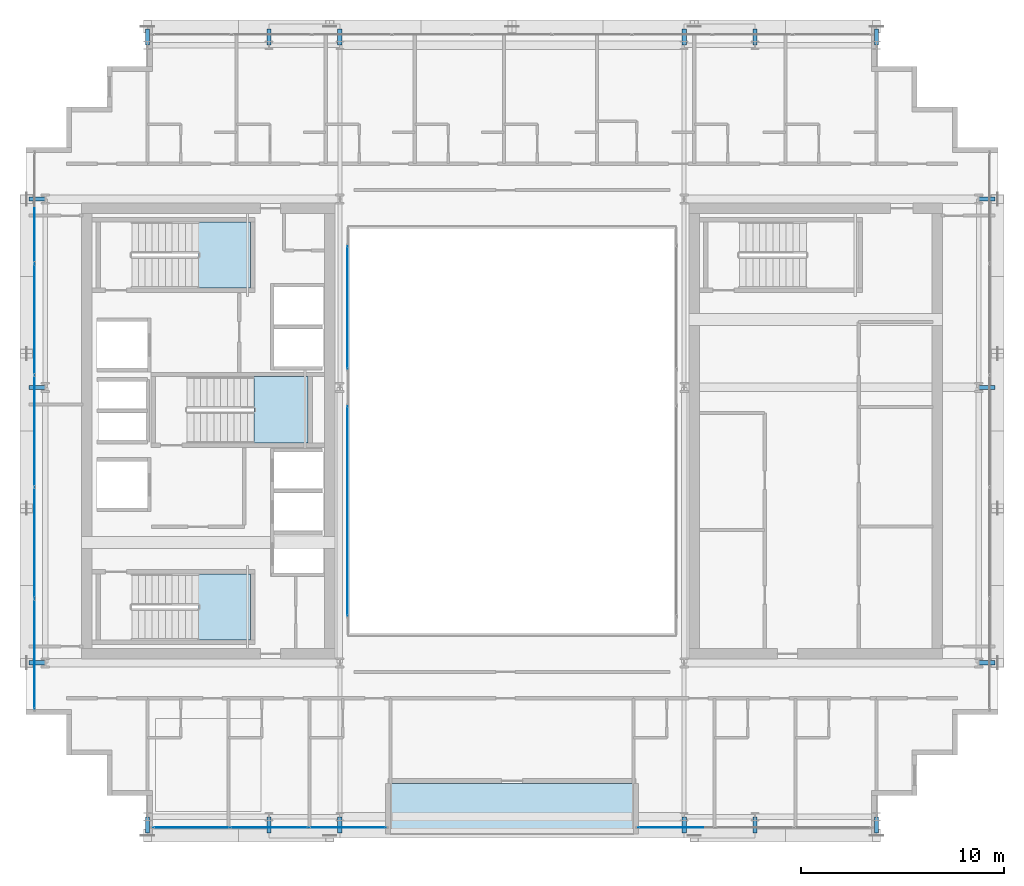
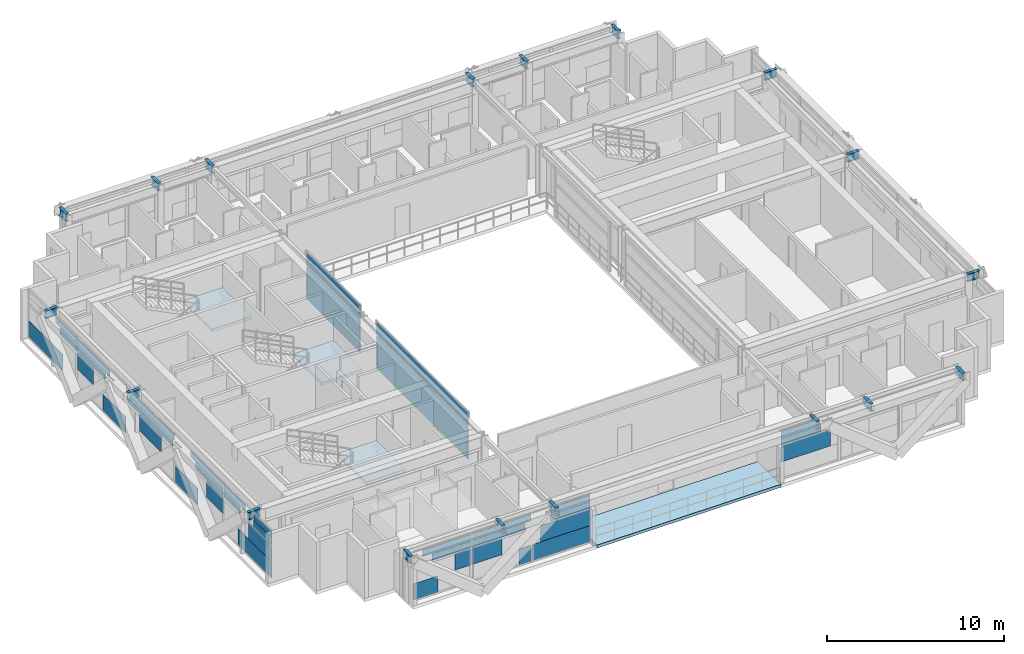
# One storey, part 24 of 38: 39 plates, 18 beams, 4 slabs, 8 elements without a shape of their own.
"""IFC4 building model written with IfcOpenShell, lengths in metres."""

from ifc_helpers import new_model, si_unit, direction, frame, origin, origin_2d, place, context, subcontext, project, spatial, polyline, rectangle, i_section, outline, extrude, source, transform, mapped, material, layer, layer_set, material_profile, profile_set, type_object, element, aggregate, save


model = new_model("IFC4")

# Units and contexts
model_context = context("Model", 3, precision=1e-05, world=origin(), true_north=direction((0.0, 1.0)))
body_context = subcontext(model_context, "Body", "Model", "MODEL_VIEW")
ifc_project = project(units=[si_unit("LENGTHUNIT", "METRE"), si_unit("AREAUNIT", "SQUARE_METRE"), si_unit("VOLUMEUNIT", "CUBIC_METRE"), si_unit("PLANEANGLEUNIT", "RADIAN"), si_unit("MASSUNIT", "GRAM", prefix="KILO")], contexts=[model_context])

# Site, building, storey
site_placement = place(None, origin())
site = spatial("IfcSite", under=ifc_project, at=site_placement, CompositionType="ELEMENT")
building_placement = place(site_placement, origin())
building = spatial("IfcBuilding", under=site, at=building_placement, Name="Ocotamira Hotel", CompositionType="ELEMENT")
storey_placement = place(building_placement, frame((0.0, 0.0, 170.39990234375)))
storey = spatial("IfcBuildingStorey", under=building, at=storey_placement, Name="L42", CompositionType="ELEMENT", Elevation=170.39990234375)

# Beams
ifc_material_1 = material(Name="Steel ASTM A992 Grade 50", Category="steel")
ifc_material_profile = material_profile(ifc_material_1, i_section(OverallWidth=0.2099609375, OverallDepth=0.537109375, WebThickness=0.010986328125, FlangeThickness=0.017333984375, FilletRadius=0.012939453125, at=origin_2d()), Name="W21X68")
ifc_profile_set = profile_set([ifc_material_profile], Name="Steel ASTM A992 Grade 50")
beam_type = type_object("IfcBeamType", Name="BM-SEC-W21X68", PredefinedType="JOIST", material=ifc_profile_set)
shared_shape_1 = source(origin(), body_context, "Body", "SweptSolid", [
    extrude(i_section(OverallWidth=0.2099609375, OverallDepth=0.537109375, WebThickness=0.010986328125, FlangeThickness=0.017333984375, FilletRadius=0.012939453125, at=origin_2d()), origin(), (0.0, 0.0, 1.0), 0.800048828125),
])
for number, where, z_axis, x_axis, name in (
    (1, (14.0, 6.949951171875, 3.1015625), (0.0, -1.0, 0.0), (1.0, 0.0, 0.0), "L42 South Edge Header X14"),
    (2, (14.0, 45.050048828125, 3.1015625), (0.0, 1.0, 0.0), (-1.0, 0.0, 0.0), "L42 North Edge Header X14"),
    (3, (20.0, 6.949951171875, 3.1015625), (0.0, -1.0, 0.0), (1.0, 0.0, 0.0), "L42 South Edge Header X20"),
    (4, (20.0, 45.050048828125, 3.1015625), (0.0, 1.0, 0.0), (-1.0, 0.0, 0.0), "L42 North Edge Header X20"),
    (5, (23.5, 6.949951171875, 3.1015625), (0.0, -1.0, 0.0), (1.0, 0.0, 0.0), "L42 South Edge Header X23.5"),
    (6, (23.5, 45.050048828125, 3.1015625), (0.0, 1.0, 0.0), (-1.0, 0.0, 0.0), "L42 North Edge Header X23.5"),
    (7, (40.5, 6.949951171875, 3.1015625), (0.0, -1.0, 0.0), (1.0, 0.0, 0.0), "L42 South Edge Header X40.5"),
    (8, (40.5, 45.050048828125, 3.1015625), (0.0, 1.0, 0.0), (-1.0, 0.0, 0.0), "L42 North Edge Header X40.5"),
    (9, (44.0, 6.949951171875, 3.1015625), (0.0, -1.0, 0.0), (1.0, 0.0, 0.0), "L42 South Edge Header X44"),
    (10, (44.0, 45.050048828125, 3.1015625), (0.0, 1.0, 0.0), (-1.0, 0.0, 0.0), "L42 North Edge Header X44"),
    (11, (50.0, 6.949951171875, 3.1015625), (0.0, -1.0, 0.0), (1.0, 0.0, 0.0), "L42 South Edge Header X50"),
    (12, (50.0, 45.050048828125, 3.1015625), (0.0, 1.0, 0.0), (-1.0, 0.0, 0.0), "L42 North Edge Header X50"),
    (13, (8.949951171875, 14.550048828125, 3.1015625), (-1.0, 0.0, 0.0), (0.0, -1.0, 0.0), "L42 West Edge Header Y14.55"),
    (14, (55.050048828125, 14.550048828125, 3.1015625), (1.0, 0.0, 0.0), (0.0, 1.0, 0.0), "L42 East Edge Header Y14.55"),
    (15, (8.949951171875, 28.14990234375, 3.1015625), (-1.0, 0.0, 0.0), (0.0, -1.0, 0.0), "L42 West Edge Header Y28.15"),
    (16, (55.050048828125, 28.14990234375, 3.1015625), (1.0, 0.0, 0.0), (0.0, 1.0, 0.0), "L42 East Edge Header Y28.15"),
    (17, (8.949951171875, 37.449951171875, 3.1015625), (-1.0, 0.0, 0.0), (0.0, -1.0, 0.0), "L42 West Edge Header Y37.45"),
    (18, (55.050048828125, 37.449951171875, 3.1015625), (1.0, 0.0, 0.0), (0.0, 1.0, 0.0), "L42 East Edge Header Y37.45"),
):
    element("IfcBeam", number, at=place(storey_placement, frame(where, z_axis=z_axis, x_axis=x_axis)), inside=storey, type_object=beam_type, Name=name, PredefinedType="JOIST", context=body_context, shape_type="MappedRepresentation", body=[
        mapped(shared_shape_1, transform((0.0, 0.0, 0.0), scale=1.0)),
    ])

# Slab
ifc_material_2 = material(Name="Concrete C40/50", Category="concrete")
ifc_layer_1 = layer(ifc_material_2, 0.199951171875)
ifc_layer_set_1 = layer_set([ifc_layer_1], Name="Concrete C40/50")
slab_type_1 = type_object("IfcSlabType", Name="SLB-BAL-200", PredefinedType="FLOOR", material=ifc_layer_set_1)
slab_1_placement = place(storey_placement, frame((0.0, 0.0, -0.199951171875)))
element("IfcSlab", 19, at=slab_1_placement, inside=storey, type_object=slab_type_1, Name="L42 Outdoor Sky Terrace Slab 1", PredefinedType="FLOOR", context=body_context, shape_type="SweptSolid", body=[
    extrude(outline(polyline([(26.0, 6.0), (38.0, 6.0), (38.0, 8.60009765625), (26.0, 8.60009765625), (26.0, 6.0)])), origin(), (0.0, 0.0, 1.0), 0.199951171875),
])

# Stair, slab
stair_type = type_object("IfcStairType", Name="ST-CORE-1560", PredefinedType="HALF_TURN_STAIR", material=ifc_material_2)
stair_1_placement = place(storey_placement, origin())
stair_1 = element("IfcStair", 20, at=stair_1_placement, inside=storey, type_object=stair_type, Name="L42 Exit Stair ST-1", PredefinedType="HALF_TURN_STAIR")
ifc_layer_2 = layer(ifc_material_2, 0.199951171875)
ifc_layer_set_2 = layer_set([ifc_layer_2], Name="Concrete C40/50")
slab_type_2 = type_object("IfcSlabType", Name="SLB-LAND-200", PredefinedType="LANDING", material=ifc_layer_set_2)
slab_2_placement = place(storey_placement, frame((0.0, 0.0, 1.60009765625)))
slab_2 = element("IfcSlab", 21, at=slab_2_placement, type_object=slab_type_2, Name="ST-1 landing 1", PredefinedType="LANDING", context=body_context, shape_type="SweptSolid", body=[
    extrude(outline(polyline([(16.530029296875, 15.669921875), (19.090087890625, 15.669921875), (19.090087890625, 18.949951171875), (16.530029296875, 18.949951171875), (16.530029296875, 15.669921875)])), origin(), (0.0, 0.0, 1.0), 0.199951171875),
])
aggregate(stair_1, [slab_2])

stair_2_placement = place(storey_placement, origin())
stair_2 = element("IfcStair", 22, at=stair_2_placement, inside=storey, type_object=stair_type, Name="L42 Exit Stair ST-2", PredefinedType="HALF_TURN_STAIR")
slab_3_placement = place(storey_placement, frame((0.0, 0.0, 1.60009765625)))
slab_3 = element("IfcSlab", 23, at=slab_3_placement, type_object=slab_type_2, Name="ST-2 landing 1", PredefinedType="LANDING", context=body_context, shape_type="SweptSolid", body=[
    extrude(outline(polyline([(16.530029296875, 33.050048828125), (19.090087890625, 33.050048828125), (19.090087890625, 36.330078125), (16.530029296875, 36.330078125), (16.530029296875, 33.050048828125)])), origin(), (0.0, 0.0, 1.0), 0.199951171875),
])
aggregate(stair_2, [slab_3])

stair_3_placement = place(storey_placement, origin())
stair_3 = element("IfcStair", 24, at=stair_3_placement, inside=storey, type_object=stair_type, Name="L42 Exit Stair ST-3", PredefinedType="HALF_TURN_STAIR")
slab_4_placement = place(storey_placement, frame((0.0, 0.0, 1.60009765625)))
slab_4 = element("IfcSlab", 25, at=slab_4_placement, type_object=slab_type_2, Name="ST-3 landing 1", PredefinedType="LANDING", context=body_context, shape_type="SweptSolid", body=[
    extrude(outline(polyline([(19.260009765625, 25.39990234375), (21.919921875, 25.39990234375), (21.919921875, 28.679931640625), (19.260009765625, 28.679931640625), (19.260009765625, 25.39990234375)])), origin(), (0.0, 0.0, 1.0), 0.199951171875),
])
aggregate(stair_3, [slab_4])

# Curtain wall, plate
ifc_material_3 = material(Name="Anodised pale-metal aluminium and solar glass", Category="aluminium")
ifc_layer_3 = layer(ifc_material_3, 0.199951171875)
ifc_layer_set_3 = layer_set([ifc_layer_3], Name="Anodised pale-metal aluminium and solar glass")
curtain_wall_type_1 = type_object("IfcCurtainWallType", Name="CW-SYS4-Z3", PredefinedType="NOTDEFINED", material=ifc_layer_set_3)
curtain_wall_1_placement = place(storey_placement, origin())
curtain_wall_1 = element("IfcCurtainWall", 26, at=curtain_wall_1_placement, inside=storey, type_object=curtain_wall_type_1, Name="L42 Curtain Wall CW-4 CW-L42-S1", PredefinedType="NOTDEFINED")
ifc_material_4 = material(Name="Double-silver low-E insulated solar glass", Category="glass")
ifc_layer_4 = layer(ifc_material_4, 0.031982421875)
ifc_layer_set_4 = layer_set([ifc_layer_4], Name="Double-silver low-E insulated solar glass")
plate_type = type_object("IfcPlateType", Name="CWP-VISION-32", PredefinedType="CURTAIN_PANEL", material=ifc_layer_set_4)
shared_shape_2 = source(origin(), body_context, "Body", "SweptSolid", [
    extrude(rectangle(XDim=1.5673828125, YDim=0.031982421875, at=origin_2d()), origin(), (0.0, 0.0, 1.0), 1.118896484375),
])
plate_1_placement = place(storey_placement, frame((15.063720703125, 6.419921875, 0.0751953125), z_axis=(0.0, 0.0, 1.0), x_axis=(1.0, 0.0, 0.0)))
plate_1 = element("IfcPlate", 27, at=plate_1_placement, type_object=plate_type, Name="CW-4 panel 1.1.1", PredefinedType="CURTAIN_PANEL", context=body_context, shape_type="MappedRepresentation", body=[
    mapped(shared_shape_2, transform((0.0, 0.0, 0.0), scale=1.0)),
])

# Curtain wall, plates
curtain_wall_2_placement = place(storey_placement, origin())
curtain_wall_2 = element("IfcCurtainWall", 28, at=curtain_wall_2_placement, inside=storey, type_object=curtain_wall_type_1, Name="L42 Curtain Wall CW-4 CW-L42-W", PredefinedType="NOTDEFINED")
shared_shape_3 = source(origin(), body_context, "Body", "SweptSolid", [
    extrude(rectangle(XDim=3.802001953125, YDim=0.031982421875, at=origin_2d()), origin(), (0.0, 0.0, 1.0), 1.118896484375),
])
plate_2_placement = place(storey_placement, frame((8.419921875, 14.180908203125, 0.0751953125), z_axis=(0.0, 0.0, 1.0), x_axis=(0.0, 1.0, 0.0)))
plate_2 = element("IfcPlate", 29, at=plate_2_placement, type_object=plate_type, Name="CW-4 panel 1.1.1", PredefinedType="CURTAIN_PANEL", context=body_context, shape_type="MappedRepresentation", body=[
    mapped(shared_shape_3, transform((0.0, 0.0, 0.0), scale=1.0)),
])
plate_3_placement = place(storey_placement, frame((8.419921875, 37.819091796875, 0.0751953125), z_axis=(0.0, 0.0, 1.0), x_axis=(0.0, 1.0, 0.0)))
plate_3 = element("IfcPlate", 30, at=plate_3_placement, type_object=plate_type, Name="CW-4 panel 5.1.1", PredefinedType="CURTAIN_PANEL", context=body_context, shape_type="MappedRepresentation", body=[
    mapped(shared_shape_3, transform((0.0, 0.0, 0.0), scale=1.0)),
])
shared_shape_4 = source(origin(), body_context, "Body", "SweptSolid", [
    extrude(rectangle(XDim=2.048095703125, YDim=0.031982421875, at=origin_2d()), origin(), (0.0, 0.0, 1.0), 0.460693359375),
])
plate_4_placement = place(storey_placement, frame((8.419921875, 13.303955078125, 2.3876953125), z_axis=(0.0, 0.0, 1.0), x_axis=(0.0, 1.0, 0.0)))
plate_4 = element("IfcPlate", 31, at=plate_4_placement, type_object=plate_type, Name="CW-4 panel 1.2.1", PredefinedType="CURTAIN_PANEL", context=body_context, shape_type="MappedRepresentation", body=[
    mapped(shared_shape_4, transform((0.0, 0.0, 0.0), scale=1.0)),
])
shared_shape_5 = source(origin(), body_context, "Body", "SweptSolid", [
    extrude(rectangle(XDim=2.01171875, YDim=0.031982421875, at=origin_2d()), origin(), (0.0, 0.0, 1.0), 0.44677734375),
])
plate_5_placement = place(storey_placement, frame((8.419921875, 13.285888671875, 2.848388671875), z_axis=(0.0, 0.0, 1.0), x_axis=(0.0, 1.0, 0.0)))
plate_5 = element("IfcPlate", 32, at=plate_5_placement, type_object=plate_type, Name="CW-4 panel 1.2.2", PredefinedType="CURTAIN_PANEL", context=body_context, shape_type="MappedRepresentation", body=[
    mapped(shared_shape_5, transform((0.0, 0.0, 0.0), scale=1.0)),
])
shared_shape_6 = source(origin(), body_context, "Body", "SweptSolid", [
    extrude(rectangle(XDim=2.3681640625, YDim=0.031982421875, at=origin_2d()), origin(), (0.0, 0.0, 1.0), 0.41259765625),
])
plate_6_placement = place(storey_placement, frame((8.419921875, 16.495849609375, 2.882568359375), z_axis=(0.0, 0.0, 1.0), x_axis=(0.0, 1.0, 0.0)))
plate_6 = element("IfcPlate", 33, at=plate_6_placement, type_object=plate_type, Name="CW-4 panel 1.2.3", PredefinedType="CURTAIN_PANEL", context=body_context, shape_type="MappedRepresentation", body=[
    mapped(shared_shape_6, transform((0.0, 0.0, 0.0), scale=1.0)),
])
plate_7_placement = place(storey_placement, frame((8.419921875, 35.504150390625, 2.882568359375), z_axis=(0.0, 0.0, 1.0), x_axis=(0.0, 1.0, 0.0)))
plate_7 = element("IfcPlate", 34, at=plate_7_placement, type_object=plate_type, Name="CW-4 panel 5.2.2", PredefinedType="CURTAIN_PANEL", context=body_context, shape_type="MappedRepresentation", body=[
    mapped(shared_shape_6, transform((0.0, 0.0, 0.0), scale=1.0)),
])
shared_shape_7 = source(origin(), body_context, "Body", "SweptSolid", [
    extrude(rectangle(XDim=1.84326171875, YDim=0.031982421875, at=origin_2d()), origin(), (0.0, 0.0, 1.0), 0.460693359375),
])
plate_8_placement = place(storey_placement, frame((8.419921875, 16.75830078125, 2.3876953125), z_axis=(0.0, 0.0, 1.0), x_axis=(0.0, 1.0, 0.0)))
plate_8 = element("IfcPlate", 35, at=plate_8_placement, type_object=plate_type, Name="CW-4 panel 1.2.4", PredefinedType="CURTAIN_PANEL", context=body_context, shape_type="MappedRepresentation", body=[
    mapped(shared_shape_7, transform((0.0, 0.0, 0.0), scale=1.0)),
])
plate_9_placement = place(storey_placement, frame((8.419921875, 35.24169921875, 2.3876953125), z_axis=(0.0, 0.0, 1.0), x_axis=(0.0, 1.0, 0.0)))
plate_9 = element("IfcPlate", 36, at=plate_9_placement, type_object=plate_type, Name="CW-4 panel 5.2.1", PredefinedType="CURTAIN_PANEL", context=body_context, shape_type="MappedRepresentation", body=[
    mapped(shared_shape_7, transform((0.0, 0.0, 0.0), scale=1.0)),
])
shared_shape_8 = source(origin(), body_context, "Body", "SweptSolid", [
    extrude(rectangle(XDim=2.548828125, YDim=0.031982421875, at=origin_2d()), origin(), (0.0, 0.0, 1.0), 1.118896484375),
])
plate_10_placement = place(storey_placement, frame((8.419921875, 21.925537109375, 0.0751953125), z_axis=(0.0, 0.0, 1.0), x_axis=(0.0, 1.0, 0.0)))
plate_10 = element("IfcPlate", 37, at=plate_10_placement, type_object=plate_type, Name="CW-4 panel 2.1.2", PredefinedType="CURTAIN_PANEL", context=body_context, shape_type="MappedRepresentation", body=[
    mapped(shared_shape_8, transform((0.0, 0.0, 0.0), scale=1.0)),
])
plate_11_placement = place(storey_placement, frame((8.419921875, 30.074462890625, 0.0751953125), z_axis=(0.0, 0.0, 1.0), x_axis=(0.0, 1.0, 0.0)))
plate_11 = element("IfcPlate", 38, at=plate_11_placement, type_object=plate_type, Name="CW-4 panel 4.1.1", PredefinedType="CURTAIN_PANEL", context=body_context, shape_type="MappedRepresentation", body=[
    mapped(shared_shape_8, transform((0.0, 0.0, 0.0), scale=1.0)),
])
shared_shape_9 = source(origin(), body_context, "Body", "SweptSolid", [
    extrude(rectangle(XDim=3.13671875, YDim=0.031982421875, at=origin_2d()), origin(), (0.0, 0.0, 1.0), 0.460693359375),
])
plate_12_placement = place(storey_placement, frame((8.419921875, 19.328369140625, 2.3876953125), z_axis=(0.0, 0.0, 1.0), x_axis=(0.0, 1.0, 0.0)))
plate_12 = element("IfcPlate", 39, at=plate_12_placement, type_object=plate_type, Name="CW-4 panel 2.2.1", PredefinedType="CURTAIN_PANEL", context=body_context, shape_type="MappedRepresentation", body=[
    mapped(shared_shape_9, transform((0.0, 0.0, 0.0), scale=1.0)),
])
plate_13_placement = place(storey_placement, frame((8.419921875, 32.671630859375, 2.3876953125), z_axis=(0.0, 0.0, 1.0), x_axis=(0.0, 1.0, 0.0)))
plate_13 = element("IfcPlate", 40, at=plate_13_placement, type_object=plate_type, Name="CW-4 panel 4.2.2", PredefinedType="CURTAIN_PANEL", context=body_context, shape_type="MappedRepresentation", body=[
    mapped(shared_shape_9, transform((0.0, 0.0, 0.0), scale=1.0)),
])
shared_shape_10 = source(origin(), body_context, "Body", "SweptSolid", [
    extrude(rectangle(XDim=3.66162109375, YDim=0.031982421875, at=origin_2d()), origin(), (0.0, 0.0, 1.0), 0.41259765625),
])
plate_14_placement = place(storey_placement, frame((8.419921875, 19.5908203125, 2.882568359375), z_axis=(0.0, 0.0, 1.0), x_axis=(0.0, 1.0, 0.0)))
plate_14 = element("IfcPlate", 41, at=plate_14_placement, type_object=plate_type, Name="CW-4 panel 2.2.2", PredefinedType="CURTAIN_PANEL", context=body_context, shape_type="MappedRepresentation", body=[
    mapped(shared_shape_10, transform((0.0, 0.0, 0.0), scale=1.0)),
])
plate_15_placement = place(storey_placement, frame((8.419921875, 32.4091796875, 2.882568359375), z_axis=(0.0, 0.0, 1.0), x_axis=(0.0, 1.0, 0.0)))
plate_15 = element("IfcPlate", 42, at=plate_15_placement, type_object=plate_type, Name="CW-4 panel 4.2.1", PredefinedType="CURTAIN_PANEL", context=body_context, shape_type="MappedRepresentation", body=[
    mapped(shared_shape_10, transform((0.0, 0.0, 0.0), scale=1.0)),
])
shared_shape_11 = source(origin(), body_context, "Body", "SweptSolid", [
    extrude(rectangle(XDim=5.43994140625, YDim=0.031982421875, at=origin_2d()), origin(), (0.0, 0.0, 1.0), 0.41259765625),
])
plate_16_placement = place(storey_placement, frame((8.419921875, 26.0, 2.882568359375), z_axis=(0.0, 0.0, 1.0), x_axis=(0.0, 1.0, 0.0)))
plate_16 = element("IfcPlate", 43, at=plate_16_placement, type_object=plate_type, Name="CW-4 panel 3.2.1", PredefinedType="CURTAIN_PANEL", context=body_context, shape_type="MappedRepresentation", body=[
    mapped(shared_shape_11, transform((0.0, 0.0, 0.0), scale=1.0)),
])
shared_shape_12 = source(origin(), body_context, "Body", "SweptSolid", [
    extrude(rectangle(XDim=5.06005859375, YDim=0.031982421875, at=origin_2d()), origin(), (0.0, 0.0, 1.0), 0.4951171875),
])
plate_17_placement = place(storey_placement, frame((8.419921875, 26.0, 2.387451171875), z_axis=(0.0, 0.0, 1.0), x_axis=(0.0, 1.0, 0.0)))
plate_17 = element("IfcPlate", 44, at=plate_17_placement, type_object=plate_type, Name="CW-4 panel 3.2.2", PredefinedType="CURTAIN_PANEL", context=body_context, shape_type="MappedRepresentation", body=[
    mapped(shared_shape_12, transform((0.0, 0.0, 0.0), scale=1.0)),
])

# Plate
shared_shape_13 = source(origin(), body_context, "Body", "SweptSolid", [
    extrude(rectangle(XDim=3.76318359375, YDim=0.031982421875, at=origin_2d()), origin(), (0.0, 0.0, 1.0), 1.118896484375),
])
plate_18_placement = place(storey_placement, frame((23.88818359375, 6.419921875, 0.0751953125), z_axis=(0.0, 0.0, 1.0), x_axis=(1.0, 0.0, 0.0)))
plate_18 = element("IfcPlate", 45, at=plate_18_placement, type_object=plate_type, Name="CW-4 panel 3.1.1", PredefinedType="CURTAIN_PANEL", context=body_context, shape_type="MappedRepresentation", body=[
    mapped(shared_shape_13, transform((0.0, 0.0, 0.0), scale=1.0)),
])

shared_shape_14 = source(origin(), body_context, "Body", "SweptSolid", [
    extrude(rectangle(XDim=1.0751953125, YDim=0.031982421875, at=origin_2d()), origin(), (0.0, 0.0, 1.0), 1.118896484375),
])
plate_19_placement = place(storey_placement, frame((17.505615234375, 6.419921875, 1.19384765625), z_axis=(0.0, 0.0, 1.0), x_axis=(1.0, 0.0, 0.0)))
plate_19 = element("IfcPlate", 46, at=plate_19_placement, type_object=plate_type, Name="CW-4 panel 1.1.2", PredefinedType="CURTAIN_PANEL", context=body_context, shape_type="MappedRepresentation", body=[
    mapped(shared_shape_14, transform((0.0, 0.0, 0.0), scale=1.0)),
])

shared_shape_15 = source(origin(), body_context, "Body", "SweptSolid", [
    extrude(rectangle(XDim=3.160888671875, YDim=0.031982421875, at=origin_2d()), origin(), (0.0, 0.0, 1.0), 0.4326171875),
])
plate_20_placement = place(storey_placement, frame((16.462890625, 6.419921875, 2.862548828125), z_axis=(0.0, 0.0, 1.0), x_axis=(1.0, 0.0, 0.0)))
plate_20 = element("IfcPlate", 47, at=plate_20_placement, type_object=plate_type, Name="CW-4 panel 1.2.1", PredefinedType="CURTAIN_PANEL", context=body_context, shape_type="MappedRepresentation", body=[
    mapped(shared_shape_15, transform((0.0, 0.0, 0.0), scale=1.0)),
])

shared_shape_16 = source(origin(), body_context, "Body", "SweptSolid", [
    extrude(rectangle(XDim=2.5673828125, YDim=0.031982421875, at=origin_2d()), origin(), (0.0, 0.0, 1.0), 0.443603515625),
])
plate_21_placement = place(storey_placement, frame((16.759521484375, 6.419921875, 2.3876953125), z_axis=(0.0, 0.0, 1.0), x_axis=(1.0, 0.0, 0.0)))
plate_21 = element("IfcPlate", 48, at=plate_21_placement, type_object=plate_type, Name="CW-4 panel 1.2.2", PredefinedType="CURTAIN_PANEL", context=body_context, shape_type="MappedRepresentation", body=[
    mapped(shared_shape_16, transform((0.0, 0.0, 0.0), scale=1.0)),
])

shared_shape_17 = source(origin(), body_context, "Body", "SweptSolid", [
    extrude(rectangle(XDim=1.90869140625, YDim=0.031982421875, at=origin_2d()), origin(), (0.0, 0.0, 1.0), 1.118896484375),
])
plate_22_placement = place(storey_placement, frame((19.07763671875, 6.419921875, 1.19384765625), z_axis=(0.0, 0.0, 1.0), x_axis=(1.0, 0.0, 0.0)))
plate_22 = element("IfcPlate", 49, at=plate_22_placement, type_object=plate_type, Name="CW-4 panel 2.1.1", PredefinedType="CURTAIN_PANEL", context=body_context, shape_type="MappedRepresentation", body=[
    mapped(shared_shape_17, transform((0.0, 0.0, 0.0), scale=1.0)),
])

shared_shape_18 = source(origin(), body_context, "Body", "SweptSolid", [
    extrude(rectangle(XDim=0.774169921875, YDim=0.031982421875, at=origin_2d()), origin(), (0.0, 0.0, 1.0), 1.118896484375),
])
plate_23_placement = place(storey_placement, frame((21.53955078125, 6.419921875, 0.0751953125), z_axis=(0.0, 0.0, 1.0), x_axis=(1.0, 0.0, 0.0)))
plate_23 = element("IfcPlate", 50, at=plate_23_placement, type_object=plate_type, Name="CW-4 panel 2.1.2", PredefinedType="CURTAIN_PANEL", context=body_context, shape_type="MappedRepresentation", body=[
    mapped(shared_shape_18, transform((0.0, 0.0, 0.0), scale=1.0)),
])

shared_shape_19 = source(origin(), body_context, "Body", "SweptSolid", [
    extrude(rectangle(XDim=3.40087890625, YDim=0.031982421875, at=origin_2d()), origin(), (0.0, 0.0, 1.0), 0.474853515625),
])
plate_24_placement = place(storey_placement, frame((19.82373046875, 6.419921875, 2.3876953125), z_axis=(0.0, 0.0, 1.0), x_axis=(1.0, 0.0, 0.0)))
plate_24 = element("IfcPlate", 51, at=plate_24_placement, type_object=plate_type, Name="CW-4 panel 2.2.1", PredefinedType="CURTAIN_PANEL", context=body_context, shape_type="MappedRepresentation", body=[
    mapped(shared_shape_19, transform((0.0, 0.0, 0.0), scale=1.0)),
])

shared_shape_20 = source(origin(), body_context, "Body", "SweptSolid", [
    extrude(rectangle(XDim=3.80322265625, YDim=0.031982421875, at=origin_2d()), origin(), (0.0, 0.0, 1.0), 0.4326171875),
])
plate_25_placement = place(storey_placement, frame((20.02490234375, 6.419921875, 2.862548828125), z_axis=(0.0, 0.0, 1.0), x_axis=(1.0, 0.0, 0.0)))
plate_25 = element("IfcPlate", 52, at=plate_25_placement, type_object=plate_type, Name="CW-4 panel 2.2.2", PredefinedType="CURTAIN_PANEL", context=body_context, shape_type="MappedRepresentation", body=[
    mapped(shared_shape_20, transform((0.0, 0.0, 0.0), scale=1.0)),
])

shared_shape_21 = source(origin(), body_context, "Body", "SweptSolid", [
    extrude(rectangle(XDim=3.218994140625, YDim=0.031982421875, at=origin_2d()), origin(), (0.0, 0.0, 1.0), 1.118896484375),
])
plate_26_placement = place(storey_placement, frame((24.160400390625, 6.419921875, 1.19384765625), z_axis=(0.0, 0.0, 1.0), x_axis=(1.0, 0.0, 0.0)))
plate_26 = element("IfcPlate", 53, at=plate_26_placement, type_object=plate_type, Name="CW-4 panel 3.1.2", PredefinedType="CURTAIN_PANEL", context=body_context, shape_type="MappedRepresentation", body=[
    mapped(shared_shape_21, transform((0.0, 0.0, 0.0), scale=1.0)),
])

# Curtain wall, plate
curtain_wall_3_placement = place(storey_placement, origin())
curtain_wall_3 = element("IfcCurtainWall", 54, at=curtain_wall_3_placement, inside=storey, type_object=curtain_wall_type_1, Name="L42 Curtain Wall CW-4 CW-L42-S2", PredefinedType="NOTDEFINED")
plate_27_placement = place(storey_placement, frame((39.839599609375, 6.419921875, 1.19384765625), z_axis=(0.0, 0.0, 1.0), x_axis=(1.0, 0.0, 0.0)))
plate_27 = element("IfcPlate", 55, at=plate_27_placement, type_object=plate_type, Name="CW-4 panel 1.1.2", PredefinedType="CURTAIN_PANEL", context=body_context, shape_type="MappedRepresentation", body=[
    mapped(shared_shape_21, transform((0.0, 0.0, 0.0), scale=1.0)),
])

# Plate
shared_shape_22 = source(origin(), body_context, "Body", "SweptSolid", [
    extrude(rectangle(XDim=2.57080078125, YDim=0.031982421875, at=origin_2d()), origin(), (0.0, 0.0, 1.0), 0.443603515625),
])
plate_28_placement = place(storey_placement, frame((24.484619140625, 6.419921875, 2.3876953125), z_axis=(0.0, 0.0, 1.0), x_axis=(1.0, 0.0, 0.0)))
plate_28 = element("IfcPlate", 56, at=plate_28_placement, type_object=plate_type, Name="CW-4 panel 3.2.1", PredefinedType="CURTAIN_PANEL", context=body_context, shape_type="MappedRepresentation", body=[
    mapped(shared_shape_22, transform((0.0, 0.0, 0.0), scale=1.0)),
])

plate_29_placement = place(storey_placement, frame((39.515380859375, 6.419921875, 2.3876953125), z_axis=(0.0, 0.0, 1.0), x_axis=(1.0, 0.0, 0.0)))
plate_29 = element("IfcPlate", 57, at=plate_29_placement, type_object=plate_type, Name="CW-4 panel 1.2.1", PredefinedType="CURTAIN_PANEL", context=body_context, shape_type="MappedRepresentation", body=[
    mapped(shared_shape_22, transform((0.0, 0.0, 0.0), scale=1.0)),
])

shared_shape_23 = source(origin(), body_context, "Body", "SweptSolid", [
    extrude(rectangle(XDim=2.53173828125, YDim=0.031982421875, at=origin_2d()), origin(), (0.0, 0.0, 1.0), 0.4638671875),
])
plate_30_placement = place(storey_placement, frame((24.504150390625, 6.419921875, 2.8310546875), z_axis=(0.0, 0.0, 1.0), x_axis=(1.0, 0.0, 0.0)))
plate_30 = element("IfcPlate", 58, at=plate_30_placement, type_object=plate_type, Name="CW-4 panel 3.2.2", PredefinedType="CURTAIN_PANEL", context=body_context, shape_type="MappedRepresentation", body=[
    mapped(shared_shape_23, transform((0.0, 0.0, 0.0), scale=1.0)),
])

aggregate(curtain_wall_1, [plate_1, plate_19, plate_20, plate_21, plate_22, plate_23, plate_24, plate_25, plate_18, plate_26, plate_28, plate_30])

plate_31_placement = place(storey_placement, frame((39.495849609375, 6.419921875, 2.8310546875), z_axis=(0.0, 0.0, 1.0), x_axis=(1.0, 0.0, 0.0)))
plate_31 = element("IfcPlate", 59, at=plate_31_placement, type_object=plate_type, Name="CW-4 panel 1.2.2", PredefinedType="CURTAIN_PANEL", context=body_context, shape_type="MappedRepresentation", body=[
    mapped(shared_shape_23, transform((0.0, 0.0, 0.0), scale=1.0)),
])

aggregate(curtain_wall_3, [plate_27, plate_29, plate_31])

shared_shape_24 = source(origin(), body_context, "Body", "SweptSolid", [
    extrude(rectangle(XDim=2.615966796875, YDim=0.031982421875, at=origin_2d()), origin(), (0.0, 0.0, 1.0), 1.118896484375),
])
plate_32_placement = place(storey_placement, frame((8.419921875, 13.587890625, 1.19384765625), z_axis=(0.0, 0.0, 1.0), x_axis=(0.0, 1.0, 0.0)))
plate_32 = element("IfcPlate", 60, at=plate_32_placement, type_object=plate_type, Name="CW-4 panel 1.1.2", PredefinedType="CURTAIN_PANEL", context=body_context, shape_type="MappedRepresentation", body=[
    mapped(shared_shape_24, transform((0.0, 0.0, 0.0), scale=1.0)),
])

shared_shape_25 = source(origin(), body_context, "Body", "SweptSolid", [
    extrude(rectangle(XDim=1.87109375, YDim=0.031982421875, at=origin_2d()), origin(), (0.0, 0.0, 1.0), 1.118896484375),
])
plate_33_placement = place(storey_placement, frame((8.419921875, 18.695556640625, 1.19384765625), z_axis=(0.0, 0.0, 1.0), x_axis=(0.0, 1.0, 0.0)))
plate_33 = element("IfcPlate", 61, at=plate_33_placement, type_object=plate_type, Name="CW-4 panel 2.1.1", PredefinedType="CURTAIN_PANEL", context=body_context, shape_type="MappedRepresentation", body=[
    mapped(shared_shape_25, transform((0.0, 0.0, 0.0), scale=1.0)),
])

plate_34_placement = place(storey_placement, frame((8.419921875, 33.304443359375, 1.19384765625), z_axis=(0.0, 0.0, 1.0), x_axis=(0.0, 1.0, 0.0)))
plate_34 = element("IfcPlate", 62, at=plate_34_placement, type_object=plate_type, Name="CW-4 panel 4.1.2", PredefinedType="CURTAIN_PANEL", context=body_context, shape_type="MappedRepresentation", body=[
    mapped(shared_shape_25, transform((0.0, 0.0, 0.0), scale=1.0)),
])

shared_shape_26 = source(origin(), body_context, "Body", "SweptSolid", [
    extrude(rectangle(XDim=2.52880859375, YDim=0.031982421875, at=origin_2d()), origin(), (0.0, 0.0, 1.0), 1.118896484375),
])
plate_35_placement = place(storey_placement, frame((8.419921875, 26.0, 1.19384765625), z_axis=(0.0, 0.0, 1.0), x_axis=(0.0, 1.0, 0.0)))
plate_35 = element("IfcPlate", 63, at=plate_35_placement, type_object=plate_type, Name="CW-4 panel 3.1.1", PredefinedType="CURTAIN_PANEL", context=body_context, shape_type="MappedRepresentation", body=[
    mapped(shared_shape_26, transform((0.0, 0.0, 0.0), scale=1.0)),
])

aggregate(curtain_wall_2, [plate_2, plate_32, plate_4, plate_5, plate_6, plate_8, plate_33, plate_10, plate_12, plate_14, plate_35, plate_16, plate_17, plate_11, plate_34, plate_15, plate_13, plate_3, plate_9, plate_7])

# Curtain wall, plates
ifc_layer_5 = layer(ifc_material_3, 0.159912109375)
ifc_layer_set_5 = layer_set([ifc_layer_5], Name="Anodised pale-metal aluminium and solar glass")
curtain_wall_type_2 = type_object("IfcCurtainWallType", Name="CW-SYS6-ATR", PredefinedType="NOTDEFINED", material=ifc_layer_set_5)
curtain_wall_4_placement = place(storey_placement, origin())
curtain_wall_4 = element("IfcCurtainWall", 64, at=curtain_wall_4_placement, inside=storey, type_object=curtain_wall_type_2, Name="L42 Curtain Wall CW-6 CW-L42-ATRW1", PredefinedType="NOTDEFINED")
shared_shape_27 = source(origin(), body_context, "Body", "SweptSolid", [
    extrude(rectangle(XDim=10.340087890625, YDim=0.031982421875, at=origin_2d()), origin(), (0.0, 0.0, 1.0), 2.237548828125),
])
plate_36_placement = place(storey_placement, frame((23.8798828125, 22.050048828125, 0.0751953125), z_axis=(0.0, 0.0, 1.0), x_axis=(0.0, 1.0, 0.0)))
plate_36 = element("IfcPlate", 65, at=plate_36_placement, type_object=plate_type, Name="CW-6 panel 1.1", PredefinedType="CURTAIN_PANEL", context=body_context, shape_type="MappedRepresentation", body=[
    mapped(shared_shape_27, transform((0.0, 0.0, 0.0), scale=1.0)),
])
shared_shape_28 = source(origin(), body_context, "Body", "SweptSolid", [
    extrude(rectangle(XDim=10.340087890625, YDim=0.031982421875, at=origin_2d()), origin(), (0.0, 0.0, 1.0), 0.907470703125),
])
plate_37_placement = place(storey_placement, frame((23.8798828125, 22.050048828125, 2.3876953125), z_axis=(0.0, 0.0, 1.0), x_axis=(0.0, 1.0, 0.0)))
plate_37 = element("IfcPlate", 66, at=plate_37_placement, type_object=plate_type, Name="CW-6 panel 1.2", PredefinedType="CURTAIN_PANEL", context=body_context, shape_type="MappedRepresentation", body=[
    mapped(shared_shape_28, transform((0.0, 0.0, 0.0), scale=1.0)),
])
aggregate(curtain_wall_4, [plate_36, plate_37])

curtain_wall_5_placement = place(storey_placement, origin())
curtain_wall_5 = element("IfcCurtainWall", 67, at=curtain_wall_5_placement, inside=storey, type_object=curtain_wall_type_2, Name="L42 Curtain Wall CW-6 CW-L42-ATRW2", PredefinedType="NOTDEFINED")
shared_shape_29 = source(origin(), body_context, "Body", "SweptSolid", [
    extrude(rectangle(XDim=6.0400390625, YDim=0.031982421875, at=origin_2d()), origin(), (0.0, 0.0, 1.0), 2.237548828125),
])
plate_38_placement = place(storey_placement, frame((23.8798828125, 32.10009765625, 0.0751953125), z_axis=(0.0, 0.0, 1.0), x_axis=(0.0, 1.0, 0.0)))
plate_38 = element("IfcPlate", 68, at=plate_38_placement, type_object=plate_type, Name="CW-6 panel 1.1", PredefinedType="CURTAIN_PANEL", context=body_context, shape_type="MappedRepresentation", body=[
    mapped(shared_shape_29, transform((0.0, 0.0, 0.0), scale=1.0)),
])
shared_shape_30 = source(origin(), body_context, "Body", "SweptSolid", [
    extrude(rectangle(XDim=6.0400390625, YDim=0.031982421875, at=origin_2d()), origin(), (0.0, 0.0, 1.0), 0.907470703125),
])
plate_39_placement = place(storey_placement, frame((23.8798828125, 32.10009765625, 2.3876953125), z_axis=(0.0, 0.0, 1.0), x_axis=(0.0, 1.0, 0.0)))
plate_39 = element("IfcPlate", 69, at=plate_39_placement, type_object=plate_type, Name="CW-6 panel 1.2", PredefinedType="CURTAIN_PANEL", context=body_context, shape_type="MappedRepresentation", body=[
    mapped(shared_shape_30, transform((0.0, 0.0, 0.0), scale=1.0)),
])
aggregate(curtain_wall_5, [plate_38, plate_39])

save(model, "model.ifc")
